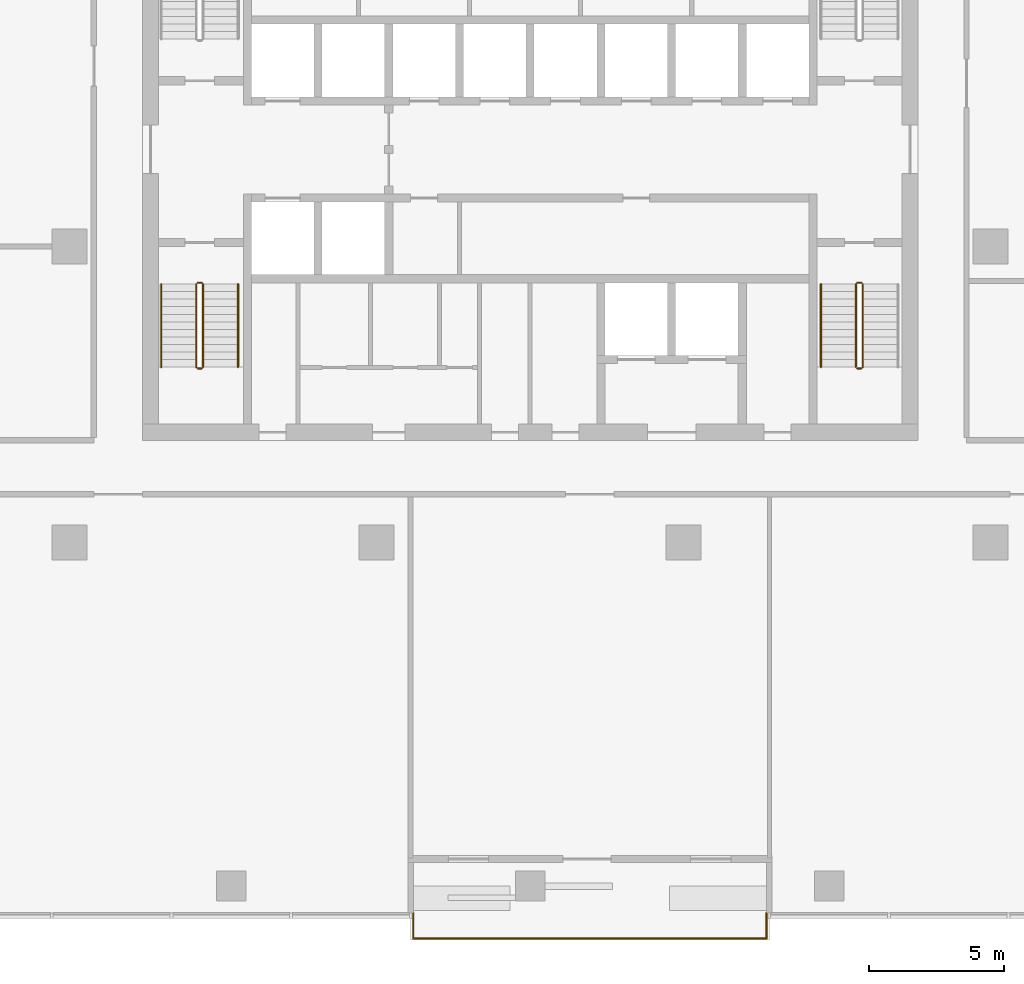
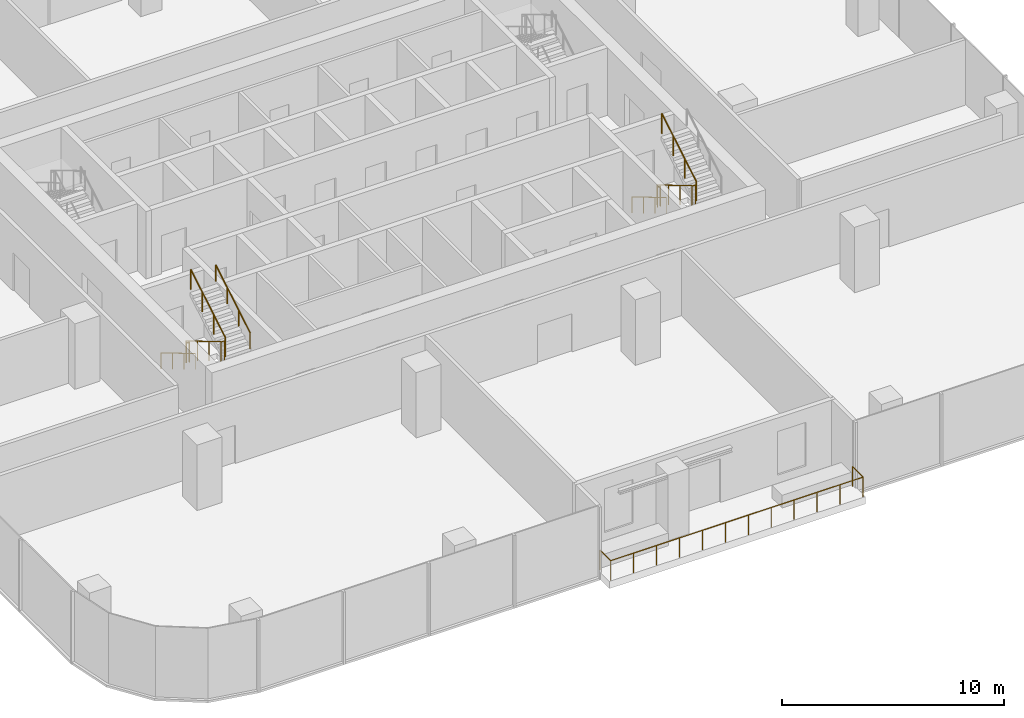
# One storey, part 11 of 14: 10 railings.
"""IFC4 building model written with IfcOpenShell, lengths in metres."""

from ifc_helpers import new_model, si_unit, direction, frame, origin, origin_2d, place, context, subcontext, project, spatial, circle, extrude, material, type_object, element, save


model = new_model("IFC4")

# Units and contexts
model_context = context("Model", 3, precision=1e-05, world=origin(), true_north=direction((0.0, 1.0)))
body_context = subcontext(model_context, "Body", "Model", "MODEL_VIEW")
ifc_project = project(units=[si_unit("LENGTHUNIT", "METRE"), si_unit("AREAUNIT", "SQUARE_METRE"), si_unit("VOLUMEUNIT", "CUBIC_METRE"), si_unit("PLANEANGLEUNIT", "RADIAN"), si_unit("MASSUNIT", "GRAM", prefix="KILO")], contexts=[model_context])

# Site, building, storey
site_placement = place(None, origin())
site = spatial("IfcSite", under=ifc_project, at=site_placement, CompositionType="ELEMENT")
building_placement = place(site_placement, origin())
building = spatial("IfcBuilding", under=site, at=building_placement, Name="Mopane Tessera Tower", CompositionType="ELEMENT")
storey_placement = place(building_placement, frame((0.0, 0.0, 243.0)))
storey = spatial("IfcBuildingStorey", under=building, at=storey_placement, Name="L52", CompositionType="ELEMENT", Elevation=243.0)

# Railings
ifc_material_1 = material(Name="Powder-coated steel balustrade", Category="steel")
railing_type_1 = type_object("IfcRailingType", Name="Escape stair guard 1100 mm", PredefinedType="GUARDRAIL", material=ifc_material_1)
railing_1_placement = place(storey_placement, frame((-12.39990234375, -1.39990234375, 0.166748046875)))
element("IfcRailing", 1, at=railing_1_placement, inside=storey, type_object=railing_type_1, Name="L52 ST1 stair guard 1", PredefinedType="GUARDRAIL", context=body_context, shape_type="SweptSolid", body=[
    extrude(circle(Radius=0.02392578125, at=origin_2d()), frame((0.0, 0.0, 1.076171875), z_axis=(0.0, -0.859308565015, 0.511457515432), x_axis=(1.0, 0.0, 0.0)), (0.0, 0.0, 1.0), 3.58447265625),
    extrude(circle(Radius=0.02392578125, at=origin_2d()), frame((0.0, -3.080078125, 2.9091796875), z_axis=(0.705375805398, -0.708833529934, 0.0), x_axis=(0.708833529934, 0.705375805398, 0.0)), (0.0, 0.0, 1.0), 0.070556640625),
    extrude(circle(Radius=0.02392578125, at=origin_2d()), frame((0.0498046875, -3.130126953125, 2.9091796875), z_axis=(1.0, 0.0, 0.0), x_axis=(0.0, 1.0, 0.0)), (0.0, 0.0, 1.0), 0.150146484375),
    extrude(circle(Radius=0.02099609375, at=origin_2d()), origin(), (0.0, 0.0, 1.0), 1.052001953125),
    extrude(circle(Radius=0.02099609375, at=origin_2d()), frame((0.0, -1.026611328125, 0.611083984375)), (0.0, 0.0, 1.0), 1.052001953125),
    extrude(circle(Radius=0.02099609375, at=origin_2d()), frame((0.0, -2.053466796875, 1.22216796875)), (0.0, 0.0, 1.0), 1.052001953125),
    extrude(circle(Radius=0.02099609375, at=origin_2d()), frame((0.0, -3.080078125, 1.833251953125)), (0.0, 0.0, 1.0), 1.052001953125),
    extrude(circle(Radius=0.02099609375, at=origin_2d()), frame((0.0498046875, -3.130126953125, 1.833251953125)), (0.0, 0.0, 1.0), 1.052001953125),
    extrude(circle(Radius=0.02099609375, at=origin_2d()), frame((0.199951171875, -3.130126953125, 1.833251953125)), (0.0, 0.0, 1.0), 1.052001953125),
])
railing_2_placement = place(storey_placement, frame((-12.14990234375, -4.47998046875, 2.166748046875)))
element("IfcRailing", 2, at=railing_2_placement, inside=storey, type_object=railing_type_1, Name="L52 ST1 stair guard 2", PredefinedType="GUARDRAIL", context=body_context, shape_type="SweptSolid", body=[
    extrude(circle(Radius=0.02392578125, at=origin_2d()), frame((0.0, 0.0, 1.076171875), z_axis=(0.0, 0.859308565015, 0.511457515432), x_axis=(-1.0, 0.0, 0.0)), (0.0, 0.0, 1.0), 3.58447265625),
    extrude(circle(Radius=0.02099609375, at=origin_2d()), origin(), (0.0, 0.0, 1.0), 1.052001953125),
    extrude(circle(Radius=0.02099609375, at=origin_2d()), frame((0.0, 1.026611328125, 0.611083984375)), (0.0, 0.0, 1.0), 1.052001953125),
    extrude(circle(Radius=0.02099609375, at=origin_2d()), frame((0.0, 2.053466796875, 1.22216796875)), (0.0, 0.0, 1.0), 1.052001953125),
    extrude(circle(Radius=0.02099609375, at=origin_2d()), frame((0.0, 3.080078125, 1.833251953125)), (0.0, 0.0, 1.0), 1.052001953125),
])
railing_3_placement = place(storey_placement, frame((-12.35009765625, -1.35009765625, 0.0)))
element("IfcRailing", 3, at=railing_3_placement, inside=storey, type_object=railing_type_1, Name="L52 ST1 stair guard 3", PredefinedType="GUARDRAIL", context=body_context, shape_type="SweptSolid", body=[
    extrude(circle(Radius=0.02392578125, at=origin_2d()), frame((0.0, 0.0, 1.076171875), z_axis=(1.0, 0.0, 0.0), x_axis=(0.0, 1.0, 0.0)), (0.0, 0.0, 1.0), 0.150146484375),
    extrude(circle(Radius=0.02099609375, at=origin_2d()), origin(), (0.0, 0.0, 1.0), 1.052001953125),
    extrude(circle(Radius=0.02099609375, at=origin_2d()), frame((0.150146484375, 0.0, 0.0)), (0.0, 0.0, 1.0), 1.052001953125),
])
railing_4_placement = place(storey_placement, frame((12.10009765625, -1.39990234375, 0.166748046875)))
element("IfcRailing", 4, at=railing_4_placement, inside=storey, type_object=railing_type_1, Name="L52 ST3 stair guard 1", PredefinedType="GUARDRAIL", context=body_context, shape_type="SweptSolid", body=[
    extrude(circle(Radius=0.02392578125, at=origin_2d()), frame((0.0, 0.0, 1.076171875), z_axis=(0.0, -0.859308565015, 0.511457515432), x_axis=(1.0, 0.0, 0.0)), (0.0, 0.0, 1.0), 3.58447265625),
    extrude(circle(Radius=0.02392578125, at=origin_2d()), frame((0.0, -3.080078125, 2.9091796875), z_axis=(0.705375805398, -0.708833529934, 0.0), x_axis=(0.708833529934, 0.705375805398, 0.0)), (0.0, 0.0, 1.0), 0.070556640625),
    extrude(circle(Radius=0.02392578125, at=origin_2d()), frame((0.0498046875, -3.130126953125, 2.9091796875), z_axis=(1.0, 0.0, 0.0), x_axis=(0.0, 1.0, 0.0)), (0.0, 0.0, 1.0), 0.150146484375),
    extrude(circle(Radius=0.02099609375, at=origin_2d()), origin(), (0.0, 0.0, 1.0), 1.052001953125),
    extrude(circle(Radius=0.02099609375, at=origin_2d()), frame((0.0, -1.026611328125, 0.611083984375)), (0.0, 0.0, 1.0), 1.052001953125),
    extrude(circle(Radius=0.02099609375, at=origin_2d()), frame((0.0, -2.053466796875, 1.22216796875)), (0.0, 0.0, 1.0), 1.052001953125),
    extrude(circle(Radius=0.02099609375, at=origin_2d()), frame((0.0, -3.080078125, 1.833251953125)), (0.0, 0.0, 1.0), 1.052001953125),
    extrude(circle(Radius=0.02099609375, at=origin_2d()), frame((0.0498046875, -3.130126953125, 1.833251953125)), (0.0, 0.0, 1.0), 1.052001953125),
    extrude(circle(Radius=0.02099609375, at=origin_2d()), frame((0.199951171875, -3.130126953125, 1.833251953125)), (0.0, 0.0, 1.0), 1.052001953125),
])
railing_5_placement = place(storey_placement, frame((12.35009765625, -4.47998046875, 2.166748046875)))
element("IfcRailing", 5, at=railing_5_placement, inside=storey, type_object=railing_type_1, Name="L52 ST3 stair guard 2", PredefinedType="GUARDRAIL", context=body_context, shape_type="SweptSolid", body=[
    extrude(circle(Radius=0.02392578125, at=origin_2d()), frame((0.0, 0.0, 1.076171875), z_axis=(0.0, 0.859308565015, 0.511457515432), x_axis=(-1.0, 0.0, 0.0)), (0.0, 0.0, 1.0), 3.58447265625),
    extrude(circle(Radius=0.02099609375, at=origin_2d()), origin(), (0.0, 0.0, 1.0), 1.052001953125),
    extrude(circle(Radius=0.02099609375, at=origin_2d()), frame((0.0, 1.026611328125, 0.611083984375)), (0.0, 0.0, 1.0), 1.052001953125),
    extrude(circle(Radius=0.02099609375, at=origin_2d()), frame((0.0, 2.053466796875, 1.22216796875)), (0.0, 0.0, 1.0), 1.052001953125),
    extrude(circle(Radius=0.02099609375, at=origin_2d()), frame((0.0, 3.080078125, 1.833251953125)), (0.0, 0.0, 1.0), 1.052001953125),
])
railing_6_placement = place(storey_placement, frame((12.14990234375, -1.35009765625, 0.0)))
element("IfcRailing", 6, at=railing_6_placement, inside=storey, type_object=railing_type_1, Name="L52 ST3 stair guard 3", PredefinedType="GUARDRAIL", context=body_context, shape_type="SweptSolid", body=[
    extrude(circle(Radius=0.02392578125, at=origin_2d()), frame((0.0, 0.0, 1.076171875), z_axis=(1.0, 0.0, 0.0), x_axis=(0.0, 1.0, 0.0)), (0.0, 0.0, 1.0), 0.150146484375),
    extrude(circle(Radius=0.02099609375, at=origin_2d()), origin(), (0.0, 0.0, 1.0), 1.052001953125),
    extrude(circle(Radius=0.02099609375, at=origin_2d()), frame((0.150146484375, 0.0, 0.0)), (0.0, 0.0, 1.0), 1.052001953125),
])
ifc_material_2 = material(Name="Powder-coated steel balustrade", Category="steel")
railing_type_2 = type_object("IfcRailingType", Name="Escape stair handrail 900 mm", PredefinedType="HANDRAIL", material=ifc_material_2)
railing_7_placement = place(storey_placement, frame((-13.699951171875, -1.39990234375, 0.166748046875)))
element("IfcRailing", 7, at=railing_7_placement, inside=storey, type_object=railing_type_2, Name="L52 ST1 stair handrail 1", PredefinedType="HANDRAIL", context=body_context, shape_type="SweptSolid", body=[
    extrude(circle(Radius=0.02392578125, at=origin_2d()), frame((0.0, 0.0, 0.8759765625), z_axis=(0.0, -0.859308565015, 0.511457515432), x_axis=(1.0, 0.0, 0.0)), (0.0, 0.0, 1.0), 3.58447265625),
    extrude(circle(Radius=0.02099609375, at=origin_2d()), origin(), (0.0, 0.0, 1.0), 0.851806640625),
    extrude(circle(Radius=0.02099609375, at=origin_2d()), frame((0.0, -1.026611328125, 0.611083984375)), (0.0, 0.0, 1.0), 0.851806640625),
    extrude(circle(Radius=0.02099609375, at=origin_2d()), frame((0.0, -2.053466796875, 1.22216796875)), (0.0, 0.0, 1.0), 0.851806640625),
    extrude(circle(Radius=0.02099609375, at=origin_2d()), frame((0.0, -3.080078125, 1.833251953125)), (0.0, 0.0, 1.0), 0.851806640625),
])
railing_8_placement = place(storey_placement, frame((-10.85009765625, -4.47998046875, 2.166748046875)))
element("IfcRailing", 8, at=railing_8_placement, inside=storey, type_object=railing_type_2, Name="L52 ST1 stair handrail 2", PredefinedType="HANDRAIL", context=body_context, shape_type="SweptSolid", body=[
    extrude(circle(Radius=0.02392578125, at=origin_2d()), frame((0.0, 0.0, 0.8759765625), z_axis=(0.0, 0.859308565015, 0.511457515432), x_axis=(-1.0, 0.0, 0.0)), (0.0, 0.0, 1.0), 3.58447265625),
    extrude(circle(Radius=0.02099609375, at=origin_2d()), origin(), (0.0, 0.0, 1.0), 0.851806640625),
    extrude(circle(Radius=0.02099609375, at=origin_2d()), frame((0.0, 1.026611328125, 0.611083984375)), (0.0, 0.0, 1.0), 0.851806640625),
    extrude(circle(Radius=0.02099609375, at=origin_2d()), frame((0.0, 2.053466796875, 1.22216796875)), (0.0, 0.0, 1.0), 0.851806640625),
    extrude(circle(Radius=0.02099609375, at=origin_2d()), frame((0.0, 3.080078125, 1.833251953125)), (0.0, 0.0, 1.0), 0.851806640625),
])
railing_9_placement = place(storey_placement, frame((10.800048828125, -1.39990234375, 0.166748046875)))
element("IfcRailing", 9, at=railing_9_placement, inside=storey, type_object=railing_type_2, Name="L52 ST3 stair handrail 1", PredefinedType="HANDRAIL", context=body_context, shape_type="SweptSolid", body=[
    extrude(circle(Radius=0.02392578125, at=origin_2d()), frame((0.0, 0.0, 0.8759765625), z_axis=(0.0, -0.859308565015, 0.511457515432), x_axis=(1.0, 0.0, 0.0)), (0.0, 0.0, 1.0), 3.58447265625),
    extrude(circle(Radius=0.02099609375, at=origin_2d()), origin(), (0.0, 0.0, 1.0), 0.851806640625),
    extrude(circle(Radius=0.02099609375, at=origin_2d()), frame((0.0, -1.026611328125, 0.611083984375)), (0.0, 0.0, 1.0), 0.851806640625),
    extrude(circle(Radius=0.02099609375, at=origin_2d()), frame((0.0, -2.053466796875, 1.22216796875)), (0.0, 0.0, 1.0), 0.851806640625),
    extrude(circle(Radius=0.02099609375, at=origin_2d()), frame((0.0, -3.080078125, 1.833251953125)), (0.0, 0.0, 1.0), 0.851806640625),
])
ifc_material_3 = material(Name="Stainless steel S316", Category="steel")
railing_type_3 = type_object("IfcRailingType", Name="Terrace guard 1100", PredefinedType="GUARDRAIL", material=ifc_material_3)
railing_10_placement = place(storey_placement, frame((-4.340087890625, -24.75, 0.0)))
element("IfcRailing", 10, at=railing_10_placement, inside=storey, type_object=railing_type_3, Name="e:nw:L52:N1:guard", PredefinedType="GUARDRAIL", context=body_context, shape_type="SweptSolid", body=[
    extrude(circle(Radius=0.02392578125, at=origin_2d()), frame((0.0, 0.0, 1.076171875), z_axis=(0.0, -1.0, 0.0), x_axis=(1.0, 0.0, 0.0)), (0.0, 0.0, 1.0), 0.949951171875),
    extrude(circle(Radius=0.02392578125, at=origin_2d()), frame((0.0, -0.949951171875, 1.076171875), z_axis=(1.0, 0.0, 0.0), x_axis=(0.0, 1.0, 0.0)), (0.0, 0.0, 1.0), 13.1201171875),
    extrude(circle(Radius=0.02392578125, at=origin_2d()), frame((13.1201171875, -0.949951171875, 1.076171875), z_axis=(0.0, 1.0, 0.0), x_axis=(-1.0, 0.0, 0.0)), (0.0, 0.0, 1.0), 0.949951171875),
    extrude(circle(Radius=0.02099609375, at=origin_2d()), origin(), (0.0, 0.0, 1.0), 1.052001953125),
    extrude(circle(Radius=0.02099609375, at=origin_2d()), frame((0.0, -0.949951171875, 0.0)), (0.0, 0.0, 1.0), 1.052001953125),
    extrude(circle(Radius=0.02099609375, at=origin_2d()), frame((1.192626953125, -0.949951171875, 0.0)), (0.0, 0.0, 1.0), 1.052001953125),
    extrude(circle(Radius=0.02099609375, at=origin_2d()), frame((2.385498046875, -0.949951171875, 0.0)), (0.0, 0.0, 1.0), 1.052001953125),
    extrude(circle(Radius=0.02099609375, at=origin_2d()), frame((3.578125, -0.949951171875, 0.0)), (0.0, 0.0, 1.0), 1.052001953125),
    extrude(circle(Radius=0.02099609375, at=origin_2d()), frame((4.77099609375, -0.949951171875, 0.0)), (0.0, 0.0, 1.0), 1.052001953125),
    extrude(circle(Radius=0.02099609375, at=origin_2d()), frame((5.963623046875, -0.949951171875, 0.0)), (0.0, 0.0, 1.0), 1.052001953125),
    extrude(circle(Radius=0.02099609375, at=origin_2d()), frame((7.156494140625, -0.949951171875, 0.0)), (0.0, 0.0, 1.0), 1.052001953125),
    extrude(circle(Radius=0.02099609375, at=origin_2d()), frame((8.34912109375, -0.949951171875, 0.0)), (0.0, 0.0, 1.0), 1.052001953125),
    extrude(circle(Radius=0.02099609375, at=origin_2d()), frame((9.5419921875, -0.949951171875, 0.0)), (0.0, 0.0, 1.0), 1.052001953125),
    extrude(circle(Radius=0.02099609375, at=origin_2d()), frame((10.734619140625, -0.949951171875, 0.0)), (0.0, 0.0, 1.0), 1.052001953125),
    extrude(circle(Radius=0.02099609375, at=origin_2d()), frame((11.927490234375, -0.949951171875, 0.0)), (0.0, 0.0, 1.0), 1.052001953125),
    extrude(circle(Radius=0.02099609375, at=origin_2d()), frame((13.1201171875, -0.949951171875, 0.0)), (0.0, 0.0, 1.0), 1.052001953125),
    extrude(circle(Radius=0.02099609375, at=origin_2d()), frame((13.1201171875, 0.0, 0.0)), (0.0, 0.0, 1.0), 1.052001953125),
])

save(model, "model.ifc")
